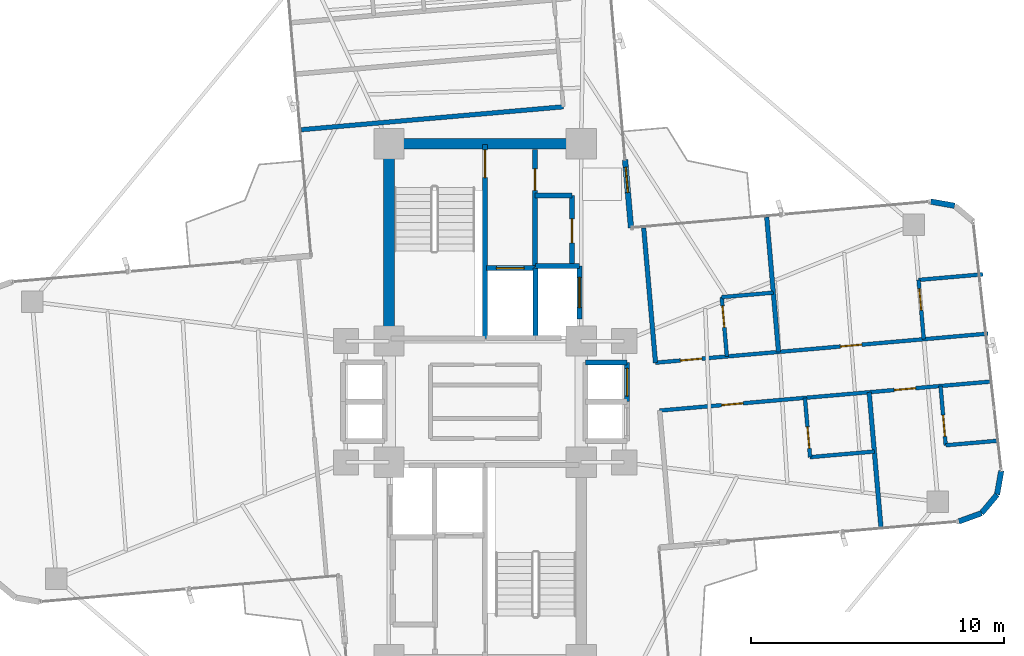
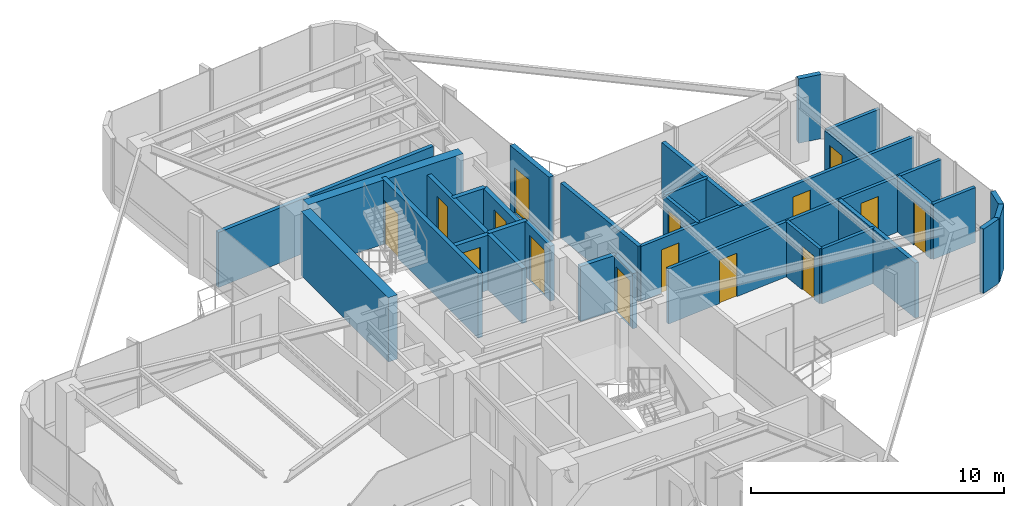
# One storey, part 22 of 24: 31 walls, 15 doors, 15 openings.
"""IFC4 building model written with IfcOpenShell, lengths in metres."""

from ifc_helpers import new_model, si_unit, direction, frame, frame_2d, origin, origin_2d, place, context, subcontext, project, spatial, rectangle, extrude, source, transform, mapped, material, layer, layer_set, type_object, element, fill, save


model = new_model("IFC4")

# Units and contexts
model_context = context("Model", 3, precision=1e-05, world=origin(), true_north=direction((0.0, 1.0)))
body_context = subcontext(model_context, "Body", "Model", "MODEL_VIEW")
ifc_project = project(units=[si_unit("LENGTHUNIT", "METRE"), si_unit("AREAUNIT", "SQUARE_METRE"), si_unit("VOLUMEUNIT", "CUBIC_METRE"), si_unit("PLANEANGLEUNIT", "RADIAN"), si_unit("MASSUNIT", "GRAM", prefix="KILO")], contexts=[model_context])

# Site, building, storey
site_placement = place(None, origin())
site = spatial("IfcSite", under=ifc_project, at=site_placement, CompositionType="ELEMENT")
building_placement = place(site_placement, origin())
building = spatial("IfcBuilding", under=site, at=building_placement, Name="Sahyath Konkavel Grand Hotel", CompositionType="ELEMENT")
storey_placement = place(building_placement, frame((0.0, 0.0, 188.60009765625)))
storey = spatial("IfcBuildingStorey", under=building, at=storey_placement, Name="L52", CompositionType="ELEMENT", Elevation=188.60009765625)

# Walls
ifc_material_1 = material(Name="Concrete C50/60", Category="concrete")
ifc_layer_1 = layer(ifc_material_1, 0.419921875)
ifc_layer_set_1 = layer_set([ifc_layer_1], Name="Concrete C50/60")
wall_type_1 = type_object("IfcWallType", Name="CWALL-420", PredefinedType="SHEAR", material=ifc_layer_set_1)
wall_1_placement = place(storey_placement, frame((-3.550048828125, 10.199951171875, 0.0), z_axis=(0.0, 0.0, 1.0), x_axis=(1.0, 0.0, 0.0)))
element("IfcWall", 1, at=wall_1_placement, inside=storey, type_object=wall_type_1, Name="L52 North Core Shear Wall N", PredefinedType="SHEAR", context=body_context, shape_type="SweptSolid", body=[
    extrude(rectangle(XDim=7.10009765625, YDim=0.419921875, at=frame_2d((3.550048828125, 0.0))), origin(), (0.0, 0.0, 1.0), 3.10986328125),
])
wall_2_placement = place(storey_placement, frame((-3.800048828125, 2.85009765625, 0.0), z_axis=(0.0, 0.0, 1.0), x_axis=(0.0, 1.0, 0.0)))
element("IfcWall", 2, at=wall_2_placement, inside=storey, type_object=wall_type_1, Name="L52 North Core Shear Wall W", PredefinedType="SHEAR", context=body_context, shape_type="SweptSolid", body=[
    extrude(rectangle(XDim=6.89990234375, YDim=0.419921875, at=frame_2d((3.449951171875, 0.0))), origin(), (0.0, 0.0, 1.0), 3.10986328125),
])
ifc_material_2 = material(Name="Warm Buff Sandstone Insulated Concrete C40/50", Category="masonry")
ifc_layer_2 = layer(ifc_material_2, 0.219970703125)
ifc_layer_set_2 = layer_set([ifc_layer_2], Name="Warm Buff Sandstone Insulated Concrete C40/50")
wall_type_2 = type_object("IfcWallType", Name="WLL-BALC-THRESH", PredefinedType="STANDARD", material=ifc_layer_set_2)
wall_3_placement = place(storey_placement, frame((18.73388671875, -4.735107421875, 0.0), z_axis=(0.0, 0.0, 1.0), x_axis=(0.939741306239, 0.34188635151, 0.0)))
element("IfcWall", 3, at=wall_3_placement, inside=storey, type_object=wall_type_2, Name="L52 Rounded Corner Sandstone Pier 1", PredefinedType="STANDARD", context=body_context, shape_type="SweptSolid", body=[
    extrude(rectangle(XDim=0.95751953125, YDim=0.219970703125, at=frame_2d((0.478759765625, 0.0))), origin(), (0.0, 0.0, 1.0), 3.10986328125),
])
for number, where, z_axis, x_axis, name in (
    (4, (19.6337890625, -4.40771484375, 0.0), (0.0, 0.0, 1.0), (0.642863236823, 0.765980978054, 0.0), "L52 Rounded Corner Sandstone Pier 2"),
    (5, (20.24951171875, -3.674072265625, 0.0), (0.0, 0.0, 1.0), (0.173610811841, 0.984814340885, 0.0), "L52 Rounded Corner Sandstone Pier 3"),
    (6, (18.5703125, 7.75, 0.0), (0.0, 0.0, 1.0), (-0.984770724397, 0.173858046606, 0.0), "L52 Rounded Corner Sandstone Pier 6"),
):
    element("IfcWall", number, at=place(storey_placement, frame(where, z_axis=z_axis, x_axis=x_axis)), inside=storey, type_object=wall_type_2, Name=name, PredefinedType="STANDARD", context=body_context, shape_type="SweptSolid", body=[
        extrude(rectangle(XDim=0.957763671875, YDim=0.219970703125, at=frame_2d((0.47900390625, 0.0))), origin(), (0.0, 0.0, 1.0), 3.10986328125),
    ])

# Wall, opening, door
wall_4_placement = place(storey_placement, frame((5.7724609375, 6.87939453125, 0.0), z_axis=(0.0, 0.0, 1.0), x_axis=(-0.087168071984, 0.996193619346, 0.0)))
wall_4 = element("IfcWall", 7, at=wall_4_placement, inside=storey, type_object=wall_type_2, Name="L52 Winter-Garden Threshold Wall 8", PredefinedType="STANDARD", context=body_context, shape_type="SweptSolid", body=[
    extrude(rectangle(XDim=2.699951171875, YDim=0.219970703125, at=frame_2d((1.35009765625, 0.0))), origin(), (0.0, 0.0, 1.0), 3.10986328125),
])
opening_1_placement = place(wall_4_placement, frame((1.39990234375, 0.0, 0.0)))
opening_1 = element("IfcOpeningElement", 8, at=opening_1_placement, cuts=wall_4, Name="Opening D-TR1", PredefinedType="OPENING", context=body_context, shape_type="SweptSolid", body=[
    extrude(rectangle(XDim=1.0, YDim=2.199951171875, at=frame_2d((0.5, 1.10009765625))), frame((0.0, 0.1201171875, 0.0), z_axis=(0.0, -1.0, 0.0), x_axis=(1.0, 0.0, 0.0)), (0.0, 0.0, 1.0), 0.239990234375),
])
ifc_material_3 = material(Name="Anodised Bronze Aluminium & Low-E Glazing", Category="aluminium")
door_type_1 = type_object("IfcDoorType", Name="DR-TERRACE-1000", OperationType="NOTDEFINED", PredefinedType="DOOR", material=ifc_material_3)
shared_shape_1 = source(origin(), body_context, "Body", "SweptSolid", [
    extrude(rectangle(XDim=1.0, YDim=0.050048828125, at=origin_2d()), origin(), (0.0, 0.0, 1.0), 2.199951171875),
])
door_1_placement = place(opening_1_placement, frame((0.5, 0.0, 0.0)))
door_1 = element("IfcDoor", 9, at=door_1_placement, inside=storey, type_object=door_type_1, Name="L52 Winter-Garden Terrace Door 8", OperationType="SINGLE_SWING_LEFT", OverallHeight=2.199951171875, OverallWidth=1.0, PredefinedType="DOOR", context=body_context, shape_type="MappedRepresentation", body=[
    mapped(shared_shape_1, transform((0.0, 0.0, 0.0), scale=1.0)),
])
fill(opening_1, door_1)

ifc_material_4 = material(Name="Concrete C40/50", Category="concrete")
ifc_layer_3 = layer(ifc_material_4, 0.199951171875)
ifc_layer_set_3 = layer_set([ifc_layer_3], Name="Concrete C40/50")
wall_type_3 = type_object("IfcWallType", Name="WLL-CORE-200", PredefinedType="SOLIDWALL", material=ifc_layer_set_3)
wall_5_placement = place(storey_placement, frame((0.0, 2.5, 0.0), z_axis=(0.0, 0.0, 1.0), x_axis=(0.0, 1.0, 0.0)))
wall_5 = element("IfcWall", 10, at=wall_5_placement, inside=storey, type_object=wall_type_3, Name="L52 Stair ST-1 Shaft Wall E", PredefinedType="SOLIDWALL", context=body_context, shape_type="SweptSolid", body=[
    extrude(rectangle(XDim=7.679931640625, YDim=0.199951171875, at=frame_2d((3.83984375, 0.0))), origin(), (0.0, 0.0, 1.0), 3.10986328125),
])
opening_2_placement = place(wall_5_placement, frame((6.360107421875, 0.0, 0.0)))
opening_2 = element("IfcOpeningElement", 11, at=opening_2_placement, cuts=wall_5, Name="Opening D-F12B", PredefinedType="OPENING", context=body_context, shape_type="SweptSolid", body=[
    extrude(rectangle(XDim=1.10009765625, YDim=2.14990234375, at=frame_2d((0.550048828125, 1.074951171875))), frame((0.0, 0.10986328125, 0.0), z_axis=(0.0, -1.0, 0.0), x_axis=(1.0, 0.0, 0.0)), (0.0, 0.0, 1.0), 0.219970703125),
])
ifc_material_5 = material(Name="Steel E350 Smokeproof Fire Door", Category="steel")
door_type_2 = type_object("IfcDoorType", Name="DR-FD120-1100", OperationType="NOTDEFINED", PredefinedType="DOOR", material=ifc_material_5)
shared_shape_2 = source(origin(), body_context, "Body", "SweptSolid", [
    extrude(rectangle(XDim=1.10009765625, YDim=0.050048828125, at=origin_2d()), origin(), (0.0, 0.0, 1.0), 2.14990234375),
])
door_2_placement = place(opening_2_placement, frame((0.550048828125, 0.0, 0.0)))
door_2 = element("IfcDoor", 12, at=door_2_placement, inside=storey, type_object=door_type_2, Name="L52 Stair ST-1 Fire Door", OperationType="SINGLE_SWING_RIGHT", OverallHeight=2.14990234375, OverallWidth=1.10009765625, PredefinedType="DOOR", context=body_context, shape_type="MappedRepresentation", body=[
    mapped(shared_shape_2, transform((0.0, 0.0, 0.0), scale=1.0)),
])
fill(opening_2, door_2)

wall_6_placement = place(storey_placement, frame((1.97998046875, 5.320068359375, 0.0), z_axis=(0.0, 0.0, 1.0), x_axis=(0.0, 1.0, 0.0)))
wall_6 = element("IfcWall", 13, at=wall_6_placement, inside=storey, type_object=wall_type_3, Name="L52 North Firefighting Lobby Wall E", PredefinedType="SOLIDWALL", context=body_context, shape_type="SweptSolid", body=[
    extrude(rectangle(XDim=4.659912109375, YDim=0.199951171875, at=frame_2d((2.330078125, 0.0))), origin(), (0.0, 0.0, 1.0), 2.659912109375),
])
opening_3_placement = place(wall_6_placement, frame((3.0400390625, 0.0, 0.0)))
opening_3 = element("IfcOpeningElement", 14, at=opening_3_placement, cuts=wall_6, Name="Opening D-F12D", PredefinedType="OPENING", context=body_context, shape_type="SweptSolid", body=[
    extrude(rectangle(XDim=0.85009765625, YDim=2.10009765625, at=frame_2d((0.425048828125, 1.050048828125))), frame((0.0, 0.10986328125, 0.0), z_axis=(0.0, -1.0, 0.0), x_axis=(1.0, 0.0, 0.0)), (0.0, 0.0, 1.0), 0.219970703125),
])
ifc_material_6 = material(Name="Steel E350 Core Fire Door", Category="steel")
door_type_3 = type_object("IfcDoorType", Name="DR-FD120-850", OperationType="NOTDEFINED", PredefinedType="DOOR", material=ifc_material_6)
shared_shape_3 = source(origin(), body_context, "Body", "SweptSolid", [
    extrude(rectangle(XDim=0.85009765625, YDim=0.050048828125, at=origin_2d()), origin(), (0.0, 0.0, 1.0), 2.10009765625),
])
door_3_placement = place(opening_3_placement, frame((0.425048828125, 0.0, 0.0)))
door_3 = element("IfcDoor", 15, at=door_3_placement, inside=storey, type_object=door_type_3, Name="L52 North Firefighting Lobby Door", OperationType="SINGLE_SWING_RIGHT", OverallHeight=2.10009765625, OverallWidth=0.85009765625, PredefinedType="DOOR", context=body_context, shape_type="MappedRepresentation", body=[
    mapped(shared_shape_3, transform((0.0, 0.0, 0.0), scale=1.0)),
])
fill(opening_3, door_3)

# Wall
wall_7_placement = place(storey_placement, frame((2.0, 2.5, 0.0), z_axis=(0.0, 0.0, 1.0), x_axis=(0.0, 1.0, 0.0)))
element("IfcWall", 16, at=wall_7_placement, inside=storey, type_object=wall_type_3, Name="L52 Partition SH-FFL1-E", PredefinedType="SOLIDWALL", context=body_context, shape_type="SweptSolid", body=[
    extrude(rectangle(XDim=2.780029296875, YDim=0.199951171875, at=frame_2d((1.39013671875, 0.0))), origin(), (0.0, 0.0, 1.0), 2.659912109375),
])

# Wall, opening, door
wall_8_placement = place(storey_placement, frame((0.050048828125, 5.280029296875, 0.0), z_axis=(0.0, 0.0, 1.0), x_axis=(1.0, 0.0, 0.0)))
wall_8 = element("IfcWall", 17, at=wall_8_placement, inside=storey, type_object=wall_type_3, Name="L52 Partition SH-FFL1-N", PredefinedType="SOLIDWALL", context=body_context, shape_type="SweptSolid", body=[
    extrude(rectangle(XDim=1.929931640625, YDim=0.199951171875, at=frame_2d((0.96484375, 0.0))), origin(), (0.0, 0.0, 1.0), 2.659912109375),
])
opening_4_placement = place(wall_8_placement, frame((0.39990234375, 0.0, 0.0)))
opening_4 = element("IfcOpeningElement", 18, at=opening_4_placement, cuts=wall_8, Name="Opening LD-11", PredefinedType="OPENING", context=body_context, shape_type="SweptSolid", body=[
    extrude(rectangle(XDim=1.10009765625, YDim=2.199951171875, at=frame_2d((0.550048828125, 1.10009765625))), frame((0.0, 0.10986328125, 0.0), z_axis=(0.0, -1.0, 0.0), x_axis=(1.0, 0.0, 0.0)), (0.0, 0.0, 1.0), 0.219970703125),
])
ifc_material_7 = material(Name="Bronze Lift Landing Door 1100")
door_type_4 = type_object("IfcDoorType", Name="DR-LIFT-1100", OperationType="DOUBLE_DOOR_SLIDING", PredefinedType="DOOR", material=ifc_material_7)
shared_shape_4 = source(origin(), body_context, "Body", "SweptSolid", [
    extrude(rectangle(XDim=1.10009765625, YDim=0.050048828125, at=origin_2d()), origin(), (0.0, 0.0, 1.0), 2.199951171875),
])
door_4_placement = place(opening_4_placement, frame((0.550048828125, 0.0, 0.0)))
door_4 = element("IfcDoor", 19, at=door_4_placement, inside=storey, type_object=door_type_4, Name="L52 Lift FFL-1 Landing Door", OperationType="DOUBLE_DOOR_SLIDING", OverallHeight=2.199951171875, OverallWidth=1.10009765625, PredefinedType="DOOR", context=body_context, shape_type="MappedRepresentation", body=[
    mapped(shared_shape_4, transform((0.0, 0.0, 0.0), scale=1.0)),
])
fill(opening_4, door_4)

# Wall
wall_9_placement = place(storey_placement, frame((2.0, 5.360107421875, 0.0), z_axis=(0.0, 0.0, 1.0), x_axis=(1.0, 0.0, 0.0)))
element("IfcWall", 20, at=wall_9_placement, inside=storey, type_object=wall_type_3, Name="L52 Partition SH-SVL1-N", PredefinedType="SOLIDWALL", context=body_context, shape_type="SweptSolid", body=[
    extrude(rectangle(XDim=1.739990234375, YDim=0.199951171875, at=frame_2d((0.8701171875, 0.0))), origin(), (0.0, 0.0, 1.0), 2.659912109375),
])

# Wall, opening, door
wall_10_placement = place(storey_placement, frame((3.739990234375, 3.280029296875, 0.0), z_axis=(0.0, 0.0, 1.0), x_axis=(0.0, 1.0, 0.0)))
wall_10 = element("IfcWall", 21, at=wall_10_placement, inside=storey, type_object=wall_type_3, Name="L52 Partition SH-SVL1-E", PredefinedType="SOLIDWALL", context=body_context, shape_type="SweptSolid", body=[
    extrude(rectangle(XDim=2.080078125, YDim=0.199951171875, at=frame_2d((1.0400390625, 0.0))), origin(), (0.0, 0.0, 1.0), 2.659912109375),
])
opening_5_placement = place(wall_10_placement, frame((0.43994140625, 0.0, 0.0)))
opening_5 = element("IfcOpeningElement", 22, at=opening_5_placement, cuts=wall_10, Name="Opening LD-12", PredefinedType="OPENING", context=body_context, shape_type="SweptSolid", body=[
    extrude(rectangle(XDim=1.199951171875, YDim=2.199951171875, at=frame_2d((0.60009765625, 1.10009765625))), frame((0.0, 0.10986328125, 0.0), z_axis=(0.0, -1.0, 0.0), x_axis=(1.0, 0.0, 0.0)), (0.0, 0.0, 1.0), 0.219970703125),
])
ifc_material_8 = material(Name="Stainless Steel Lift Landing Door 1200", Category="steel")
door_type_5 = type_object("IfcDoorType", Name="DR-LIFT-1200", OperationType="DOUBLE_DOOR_SLIDING", PredefinedType="DOOR", material=ifc_material_8)
shared_shape_5 = source(origin(), body_context, "Body", "SweptSolid", [
    extrude(rectangle(XDim=1.199951171875, YDim=0.050048828125, at=origin_2d()), origin(), (0.0, 0.0, 1.0), 2.199951171875),
])
door_5_placement = place(opening_5_placement, frame((0.60009765625, 0.0, 0.0)))
door_5 = element("IfcDoor", 23, at=door_5_placement, inside=storey, type_object=door_type_5, Name="L52 Service Lift SVL-1 Landing Door", OperationType="DOUBLE_DOOR_SLIDING", OverallHeight=2.199951171875, OverallWidth=1.199951171875, PredefinedType="DOOR", context=body_context, shape_type="MappedRepresentation", body=[
    mapped(shared_shape_5, transform((0.0, 0.0, 0.0), scale=1.0)),
])
fill(opening_5, door_5)

# Wall
wall_11_placement = place(storey_placement, frame((3.97998046875, 1.56005859375, 0.0), z_axis=(0.0, 0.0, 1.0), x_axis=(1.0, 0.0, 0.0)))
element("IfcWall", 24, at=wall_11_placement, inside=storey, type_object=wall_type_3, Name="L52 Partition SH-PL56-N", PredefinedType="SOLIDWALL", context=body_context, shape_type="SweptSolid", body=[
    extrude(rectangle(XDim=1.64013671875, YDim=0.199951171875, at=frame_2d((0.820068359375, 0.0))), origin(), (0.0, 0.0, 1.0), 2.659912109375),
])

# Wall, opening, door
wall_12_placement = place(storey_placement, frame((5.6201171875, 0.0, 0.0), z_axis=(0.0, 0.0, 1.0), x_axis=(0.0, 1.0, 0.0)))
wall_12 = element("IfcWall", 25, at=wall_12_placement, inside=storey, type_object=wall_type_3, Name="L52 Partition SH-PL5-E", PredefinedType="SOLIDWALL", context=body_context, shape_type="SweptSolid", body=[
    extrude(rectangle(XDim=1.56005859375, YDim=0.199951171875, at=frame_2d((0.780029296875, 0.0))), origin(), (0.0, 0.0, 1.0), 2.659912109375),
])
opening_6_placement = place(wall_12_placement, frame((0.219970703125, 0.0, 0.0)))
opening_6 = element("IfcOpeningElement", 26, at=opening_6_placement, cuts=wall_12, Name="Opening LD-11", PredefinedType="OPENING", context=body_context, shape_type="SweptSolid", body=[
    extrude(rectangle(XDim=1.10009765625, YDim=2.199951171875, at=frame_2d((0.550048828125, 1.10009765625))), frame((0.0, 0.10986328125, 0.0), z_axis=(0.0, -1.0, 0.0), x_axis=(1.0, 0.0, 0.0)), (0.0, 0.0, 1.0), 0.219970703125),
])
door_6_placement = place(opening_6_placement, frame((0.550048828125, 0.0, 0.0)))
door_6 = element("IfcDoor", 27, at=door_6_placement, inside=storey, type_object=door_type_4, Name="L52 High-Rise Lift PL-5 Landing Door", OperationType="DOUBLE_DOOR_SLIDING", OverallHeight=2.199951171875, OverallWidth=1.10009765625, PredefinedType="DOOR", context=body_context, shape_type="MappedRepresentation", body=[
    mapped(shared_shape_4, transform((0.0, 0.0, 0.0), scale=1.0)),
])
fill(opening_6, door_6)

wall_13_placement = place(storey_placement, frame((3.43994140625, 5.3798828125, 0.0), z_axis=(0.0, 0.0, 1.0), x_axis=(0.0, 1.0, 0.0)))
wall_13 = element("IfcWall", 28, at=wall_13_placement, inside=storey, type_object=wall_type_3, Name="L52 Reclaimed North Core Wall E", PredefinedType="SOLIDWALL", context=body_context, shape_type="SweptSolid", body=[
    extrude(rectangle(XDim=2.77001953125, YDim=0.199951171875, at=frame_2d((1.385009765625, 0.0))), origin(), (0.0, 0.0, 1.0), 2.659912109375),
])
opening_7_placement = place(wall_13_placement, frame((0.89990234375, 0.0, 0.0)))
opening_7 = element("IfcOpeningElement", 29, at=opening_7_placement, cuts=wall_13, Name="Opening D-F06B", PredefinedType="OPENING", context=body_context, shape_type="SweptSolid", body=[
    extrude(rectangle(XDim=0.949951171875, YDim=2.14990234375, at=frame_2d((0.47509765625, 1.074951171875))), frame((0.0, 0.10986328125, 0.0), z_axis=(0.0, -1.0, 0.0), x_axis=(1.0, 0.0, 0.0)), (0.0, 0.0, 1.0), 0.219970703125),
])
ifc_material_9 = material(Name="Teak Veneer Fire-Rated Guest Entrance Door")
door_type_6 = type_object("IfcDoorType", Name="DR-FD60-950", OperationType="NOTDEFINED", PredefinedType="DOOR", material=ifc_material_9)
shared_shape_6 = source(origin(), body_context, "Body", "SweptSolid", [
    extrude(rectangle(XDim=0.949951171875, YDim=0.050048828125, at=origin_2d()), origin(), (0.0, 0.0, 1.0), 2.14990234375),
])
door_7_placement = place(opening_7_placement, frame((0.47509765625, 0.0, 0.0)))
door_7 = element("IfcDoor", 30, at=door_7_placement, inside=storey, type_object=door_type_6, Name="L52 Door NC-REC1-D", OperationType="SINGLE_SWING_RIGHT", OverallHeight=2.14990234375, OverallWidth=0.949951171875, PredefinedType="DOOR", context=body_context, shape_type="MappedRepresentation", body=[
    mapped(shared_shape_6, transform((0.0, 0.0, 0.0), scale=1.0)),
])
fill(opening_7, door_7)

# Walls
wall_14_placement = place(storey_placement, frame((1.97998046875, 8.14990234375, 0.0), z_axis=(0.0, 0.0, 1.0), x_axis=(1.0, 0.0, 0.0)))
element("IfcWall", 31, at=wall_14_placement, inside=storey, type_object=wall_type_3, Name="L52 Partition NC-REC-N", PredefinedType="SOLIDWALL", context=body_context, shape_type="SweptSolid", body=[
    extrude(rectangle(XDim=1.4599609375, YDim=0.199951171875, at=frame_2d((0.72998046875, 0.0))), origin(), (0.0, 0.0, 1.0), 2.659912109375),
])
ifc_material_10 = material(Name="Twin-Stud Acoustic Gypsum Plasterboard Partition")
ifc_layer_4 = layer(ifc_material_10, 0.179931640625)
ifc_layer_set_4 = layer_set([ifc_layer_4], Name="Twin-Stud Acoustic Gypsum Plasterboard Partition")
wall_type_4 = type_object("IfcWallType", Name="WLL-DEMISE-180", PredefinedType="PARTITIONING", material=ifc_layer_set_4)
for number, where, z_axis, x_axis, name in (
    (32, (6.7412109375, 1.54345703125, 0.0), (0.0, 0.0, 1.0), (-0.087161289348, 0.996194212812, 0.0), "L52 Partition E-INL"),
    (33, (11.606689453125, 1.968994140625, 0.0), (0.0, 0.0, 1.0), (-0.087161289348, 0.996194212812, 0.0), "L52 Partition E-E1L-DEM"),
    (34, (15.191162109375, 0.37548828125, 0.0), (0.0, 0.0, 1.0), (0.087161289348, -0.996194212812, 0.0), "L52 Partition E-E1R-DEM"),
):
    element("IfcWall", number, at=place(storey_placement, frame(where, z_axis=z_axis, x_axis=x_axis)), inside=storey, type_object=wall_type_4, Name=name, PredefinedType="PARTITIONING", context=body_context, shape_type="SweptSolid", body=[
        extrude(rectangle(XDim=5.349853515625, YDim=0.179931640625, at=frame_2d((2.6748046875, 0.0))), origin(), (0.0, 0.0, 1.0), 2.659912109375),
    ])
wall_15_placement = place(storey_placement, frame((3.09521484375, 11.6640625, 0.0), z_axis=(0.0, 0.0, 1.0), x_axis=(-0.996196061386, -0.087140158824, 0.0)))
element("IfcWall", 35, at=wall_15_placement, inside=storey, type_object=wall_type_4, Name="L52 Partition N-G6I", PredefinedType="PARTITIONING", context=body_context, shape_type="SweptSolid", body=[
    extrude(rectangle(XDim=10.39990234375, YDim=0.179931640625, at=frame_2d((5.199951171875, 0.0))), origin(), (0.0, 0.0, 1.0), 2.659912109375),
])

# Wall, openings, doors
ifc_material_11 = material(Name="Fire-Rated Gypsum Plasterboard Partition")
ifc_layer_5 = layer(ifc_material_11, 0.14990234375)
ifc_layer_set_5 = layer_set([ifc_layer_5], Name="Fire-Rated Gypsum Plasterboard Partition")
wall_type_5 = type_object("IfcWallType", Name="WLL-PART-150", PredefinedType="PARTITIONING", material=ifc_layer_set_5)
wall_16_placement = place(storey_placement, frame((6.7412109375, 1.54345703125, 0.0), z_axis=(0.0, 0.0, 1.0), x_axis=(0.996195062465, 0.087151577845, 0.0)))
wall_16 = element("IfcWall", 36, at=wall_16_placement, inside=storey, type_object=wall_type_5, Name="L52 Partition E-CL", PredefinedType="PARTITIONING", context=body_context, shape_type="SweptSolid", body=[
    extrude(rectangle(XDim=13.199951171875, YDim=0.14990234375, at=frame_2d((6.60009765625, 0.0))), origin(), (0.0, 0.0, 1.0), 2.659912109375),
])
opening_8_placement = place(wall_16_placement, frame((0.991943359375, 0.0, 0.0)))
opening_8 = element("IfcOpeningElement", 37, at=opening_8_placement, cuts=wall_16, Name="Opening D-F06D", PredefinedType="OPENING", context=body_context, shape_type="SweptSolid", body=[
    extrude(rectangle(XDim=0.85009765625, YDim=2.10009765625, at=frame_2d((0.425048828125, 1.050048828125))), frame((0.0, 0.0849609375, 0.0), z_axis=(0.0, -1.0, 0.0), x_axis=(1.0, 0.0, 0.0)), (0.0, 0.0, 1.0), 0.169921875),
])
opening_9_placement = place(wall_16_placement, frame((7.342041015625, 0.0, 0.0)))
opening_9 = element("IfcOpeningElement", 38, at=opening_9_placement, cuts=wall_16, Name="Opening D-F06D", PredefinedType="OPENING", context=body_context, shape_type="SweptSolid", body=[
    extrude(rectangle(XDim=0.85009765625, YDim=2.10009765625, at=frame_2d((0.425048828125, 1.050048828125))), frame((0.0, 0.0849609375, 0.0), z_axis=(0.0, -1.0, 0.0), x_axis=(1.0, 0.0, 0.0)), (0.0, 0.0, 1.0), 0.169921875),
])
ifc_material_12 = material(Name="Fire-Rated Shaft Access Door")
door_type_7 = type_object("IfcDoorType", Name="DR-FD60-850", OperationType="NOTDEFINED", PredefinedType="DOOR", material=ifc_material_12)
door_8_placement = place(opening_8_placement, frame((0.425048828125, 0.0, 0.0)))
door_8 = element("IfcDoor", 39, at=door_8_placement, inside=storey, type_object=door_type_7, Name="L52 Door E-E1L-ED", OperationType="SINGLE_SWING_RIGHT", OverallHeight=2.10009765625, OverallWidth=0.85009765625, PredefinedType="DOOR", context=body_context, shape_type="MappedRepresentation", body=[
    mapped(shared_shape_3, transform((0.0, 0.0, 0.0), scale=1.0)),
])
fill(opening_8, door_8)
door_9_placement = place(opening_9_placement, frame((0.425048828125, 0.0, 0.0)))
door_9 = element("IfcDoor", 40, at=door_9_placement, inside=storey, type_object=door_type_7, Name="L52 Door E-E2L-ED", OperationType="SINGLE_SWING_RIGHT", OverallHeight=2.10009765625, OverallWidth=0.85009765625, PredefinedType="DOOR", context=body_context, shape_type="MappedRepresentation", body=[
    mapped(shared_shape_3, transform((0.0, 0.0, 0.0), scale=1.0)),
])
fill(opening_9, door_9)

wall_17_placement = place(storey_placement, frame((6.90673828125, -0.349365234375, 0.0), z_axis=(0.0, 0.0, 1.0), x_axis=(0.996195062465, 0.087151577845, 0.0)))
wall_17 = element("IfcWall", 41, at=wall_17_placement, inside=storey, type_object=wall_type_5, Name="L52 Partition E-CR", PredefinedType="PARTITIONING", context=body_context, shape_type="SweptSolid", body=[
    extrude(rectangle(XDim=13.199951171875, YDim=0.14990234375, at=frame_2d((6.60009765625, 0.0))), origin(), (0.0, 0.0, 1.0), 2.659912109375),
])
opening_10_placement = place(wall_17_placement, frame((2.4580078125, 0.0, 0.0)))
opening_10 = element("IfcOpeningElement", 42, at=opening_10_placement, cuts=wall_17, Name="Opening D-F06D", PredefinedType="OPENING", context=body_context, shape_type="SweptSolid", body=[
    extrude(rectangle(XDim=0.85009765625, YDim=2.10009765625, at=frame_2d((0.425048828125, 1.050048828125))), frame((0.0, 0.0849609375, 0.0), z_axis=(0.0, -1.0, 0.0), x_axis=(1.0, 0.0, 0.0)), (0.0, 0.0, 1.0), 0.169921875),
])
opening_11_placement = place(wall_17_placement, frame((9.30810546875, 0.0, 0.0)))
opening_11 = element("IfcOpeningElement", 43, at=opening_11_placement, cuts=wall_17, Name="Opening D-F06D", PredefinedType="OPENING", context=body_context, shape_type="SweptSolid", body=[
    extrude(rectangle(XDim=0.85009765625, YDim=2.10009765625, at=frame_2d((0.425048828125, 1.050048828125))), frame((0.0, 0.0849609375, 0.0), z_axis=(0.0, -1.0, 0.0), x_axis=(1.0, 0.0, 0.0)), (0.0, 0.0, 1.0), 0.169921875),
])
door_10_placement = place(opening_10_placement, frame((0.425048828125, 0.0, 0.0)))
door_10 = element("IfcDoor", 44, at=door_10_placement, inside=storey, type_object=door_type_7, Name="L52 Door E-E1R-ED", OperationType="SINGLE_SWING_RIGHT", OverallHeight=2.10009765625, OverallWidth=0.85009765625, PredefinedType="DOOR", context=body_context, shape_type="MappedRepresentation", body=[
    mapped(shared_shape_3, transform((0.0, 0.0, 0.0), scale=1.0)),
])
fill(opening_10, door_10)
door_11_placement = place(opening_11_placement, frame((0.425048828125, 0.0, 0.0)))
door_11 = element("IfcDoor", 45, at=door_11_placement, inside=storey, type_object=door_type_7, Name="L52 Door E-E2R-ED", OperationType="SINGLE_SWING_RIGHT", OverallHeight=2.10009765625, OverallWidth=0.85009765625, PredefinedType="DOOR", context=body_context, shape_type="MappedRepresentation", body=[
    mapped(shared_shape_3, transform((0.0, 0.0, 0.0), scale=1.0)),
])
fill(opening_11, door_11)

# Wall, opening, door
wall_18_placement = place(storey_placement, frame((9.564453125, 1.790283203125, 0.0), z_axis=(0.0, 0.0, 1.0), x_axis=(-0.087215835732, 0.996189438811, 0.0)))
wall_18 = element("IfcWall", 46, at=wall_18_placement, inside=storey, type_object=wall_type_5, Name="L52 Partition E-E1L-BS", PredefinedType="PARTITIONING", context=body_context, shape_type="SweptSolid", body=[
    extrude(rectangle(XDim=2.354248046875, YDim=0.14990234375, at=frame_2d((1.17724609375, 0.0))), origin(), (0.0, 0.0, 1.0), 2.659912109375),
])
opening_12_placement = place(wall_18_placement, frame((1.154052734375, 0.0, 0.0)))
opening_12 = element("IfcOpeningElement", 47, at=opening_12_placement, cuts=wall_18, Name="Opening D-BT85", PredefinedType="OPENING", context=body_context, shape_type="SweptSolid", body=[
    extrude(rectangle(XDim=0.85009765625, YDim=2.10009765625, at=frame_2d((0.425048828125, 1.050048828125))), frame((0.0, 0.0849609375, 0.0), z_axis=(0.0, -1.0, 0.0), x_axis=(1.0, 0.0, 0.0)), (0.0, 0.0, 1.0), 0.169921875),
])
ifc_material_13 = material(Name="Moisture-Resistant Teak Bathroom Door")
door_type_8 = type_object("IfcDoorType", Name="DR-BATH-850", OperationType="NOTDEFINED", PredefinedType="DOOR", material=ifc_material_13)
door_12_placement = place(opening_12_placement, frame((0.425048828125, 0.0, 0.0)))
door_12 = element("IfcDoor", 48, at=door_12_placement, inside=storey, type_object=door_type_8, Name="L52 Door E-E1L-BD", OperationType="SINGLE_SWING_LEFT", OverallHeight=2.10009765625, OverallWidth=0.85009765625, PredefinedType="DOOR", context=body_context, shape_type="MappedRepresentation", body=[
    mapped(shared_shape_3, transform((0.0, 0.0, 0.0), scale=1.0)),
])
fill(opening_12, door_12)

# Wall
wall_19_placement = place(storey_placement, frame((9.359130859375, 4.135498046875, 0.0), z_axis=(0.0, 0.0, 1.0), x_axis=(0.99619307114, 0.087174336889, 0.0)))
element("IfcWall", 49, at=wall_19_placement, inside=storey, type_object=wall_type_5, Name="L52 Partition E-E1L-BF", PredefinedType="PARTITIONING", context=body_context, shape_type="SweptSolid", body=[
    extrude(rectangle(XDim=2.050048828125, YDim=0.14990234375, at=frame_2d((1.02490234375, 0.0))), origin(), (0.0, 0.0, 1.0), 2.659912109375),
])

# Wall, opening, door
wall_20_placement = place(storey_placement, frame((17.3505859375, 2.4716796875, 0.0), z_axis=(0.0, 0.0, 1.0), x_axis=(-0.087121918963, 0.996197656711, 0.0)))
wall_20 = element("IfcWall", 50, at=wall_20_placement, inside=storey, type_object=wall_type_5, Name="L52 Partition E-E2L-BS", PredefinedType="PARTITIONING", context=body_context, shape_type="SweptSolid", body=[
    extrude(rectangle(XDim=2.35400390625, YDim=0.14990234375, at=frame_2d((1.177001953125, 0.0))), origin(), (0.0, 0.0, 1.0), 2.6298828125),
])
opening_13_placement = place(wall_20_placement, frame((1.154052734375, 0.0, 0.0)))
opening_13 = element("IfcOpeningElement", 51, at=opening_13_placement, cuts=wall_20, Name="Opening D-BT85", PredefinedType="OPENING", context=body_context, shape_type="SweptSolid", body=[
    extrude(rectangle(XDim=0.85009765625, YDim=2.10009765625, at=frame_2d((0.425048828125, 1.050048828125))), frame((0.0, 0.0849609375, 0.0), z_axis=(0.0, -1.0, 0.0), x_axis=(1.0, 0.0, 0.0)), (0.0, 0.0, 1.0), 0.169921875),
])
door_13_placement = place(opening_13_placement, frame((0.425048828125, 0.0, 0.0)))
door_13 = element("IfcDoor", 52, at=door_13_placement, inside=storey, type_object=door_type_8, Name="L52 Door E-E2L-BD", OperationType="SINGLE_SWING_LEFT", OverallHeight=2.10009765625, OverallWidth=0.85009765625, PredefinedType="DOOR", context=body_context, shape_type="MappedRepresentation", body=[
    mapped(shared_shape_3, transform((0.0, 0.0, 0.0), scale=1.0)),
])
fill(opening_13, door_13)

# Wall
wall_21_placement = place(storey_placement, frame((17.1455078125, 4.816650390625, 0.0), z_axis=(0.0, 0.0, 1.0), x_axis=(0.996197353911, 0.087125381265, 0.0)))
element("IfcWall", 53, at=wall_21_placement, inside=storey, type_object=wall_type_5, Name="L52 Partition E-E2L-BF", PredefinedType="PARTITIONING", context=body_context, shape_type="SweptSolid", body=[
    extrude(rectangle(XDim=2.550048828125, YDim=0.14990234375, at=frame_2d((1.27490234375, 0.0))), origin(), (0.0, 0.0, 1.0), 2.659912109375),
])

# Wall, opening, door
wall_22_placement = place(storey_placement, frame((12.65087890625, 0.1533203125, 0.0), z_axis=(0.0, 0.0, 1.0), x_axis=(0.08711291826, -0.996198443821, 0.0)))
wall_22 = element("IfcWall", 54, at=wall_22_placement, inside=storey, type_object=wall_type_5, Name="L52 Partition E-E1R-BS", PredefinedType="PARTITIONING", context=body_context, shape_type="SweptSolid", body=[
    extrude(rectangle(XDim=2.354248046875, YDim=0.14990234375, at=frame_2d((1.17724609375, 0.0))), origin(), (0.0, 0.0, 1.0), 2.659912109375),
])
opening_14_placement = place(wall_22_placement, frame((1.154052734375, 0.0, 0.0)))
opening_14 = element("IfcOpeningElement", 55, at=opening_14_placement, cuts=wall_22, Name="Opening D-BT85", PredefinedType="OPENING", context=body_context, shape_type="SweptSolid", body=[
    extrude(rectangle(XDim=0.85009765625, YDim=2.10009765625, at=frame_2d((0.425048828125, 1.050048828125))), frame((0.0, 0.0849609375, 0.0), z_axis=(0.0, -1.0, 0.0), x_axis=(1.0, 0.0, 0.0)), (0.0, 0.0, 1.0), 0.169921875),
])
door_14_placement = place(opening_14_placement, frame((0.425048828125, 0.0, 0.0)))
door_14 = element("IfcDoor", 56, at=door_14_placement, inside=storey, type_object=door_type_8, Name="L52 Door E-E1R-BD", OperationType="SINGLE_SWING_LEFT", OverallHeight=2.10009765625, OverallWidth=0.85009765625, PredefinedType="DOOR", context=body_context, shape_type="MappedRepresentation", body=[
    mapped(shared_shape_3, transform((0.0, 0.0, 0.0), scale=1.0)),
])
fill(opening_14, door_14)

# Wall
wall_23_placement = place(storey_placement, frame((12.85595703125, -2.19189453125, 0.0), z_axis=(0.0, 0.0, 1.0), x_axis=(0.996189039596, 0.08722039549, 0.0)))
element("IfcWall", 57, at=wall_23_placement, inside=storey, type_object=wall_type_5, Name="L52 Partition E-E1R-BF", PredefinedType="PARTITIONING", context=body_context, shape_type="SweptSolid", body=[
    extrude(rectangle(XDim=2.550048828125, YDim=0.14990234375, at=frame_2d((1.27490234375, 0.0))), origin(), (0.0, 0.0, 1.0), 2.659912109375),
])

# Wall, opening, door
wall_24_placement = place(storey_placement, frame((18.014404296875, 0.622314453125, 0.0), z_axis=(0.0, 0.0, 1.0), x_axis=(0.087121918963, -0.996197656711, 0.0)))
wall_24 = element("IfcWall", 58, at=wall_24_placement, inside=storey, type_object=wall_type_5, Name="L52 Partition E-E2R-BS", PredefinedType="PARTITIONING", context=body_context, shape_type="SweptSolid", body=[
    extrude(rectangle(XDim=2.35400390625, YDim=0.14990234375, at=frame_2d((1.177001953125, 0.0))), origin(), (0.0, 0.0, 1.0), 2.659912109375),
])
opening_15_placement = place(wall_24_placement, frame((1.154052734375, 0.0, 0.0)))
opening_15 = element("IfcOpeningElement", 59, at=opening_15_placement, cuts=wall_24, Name="Opening D-BT85", PredefinedType="OPENING", context=body_context, shape_type="SweptSolid", body=[
    extrude(rectangle(XDim=0.85009765625, YDim=2.10009765625, at=frame_2d((0.425048828125, 1.050048828125))), frame((0.0, 0.0849609375, 0.0), z_axis=(0.0, -1.0, 0.0), x_axis=(1.0, 0.0, 0.0)), (0.0, 0.0, 1.0), 0.169921875),
])
door_15_placement = place(opening_15_placement, frame((0.425048828125, 0.0, 0.0)))
door_15 = element("IfcDoor", 60, at=door_15_placement, inside=storey, type_object=door_type_8, Name="L52 Door E-E2R-BD", OperationType="SINGLE_SWING_LEFT", OverallHeight=2.10009765625, OverallWidth=0.85009765625, PredefinedType="DOOR", context=body_context, shape_type="MappedRepresentation", body=[
    mapped(shared_shape_3, transform((0.0, 0.0, 0.0), scale=1.0)),
])
fill(opening_15, door_15)

# Wall
wall_25_placement = place(storey_placement, frame((18.219482421875, -1.72265625, 0.0), z_axis=(0.0, 0.0, 1.0), x_axis=(0.99619307114, 0.087174336889, 0.0)))
element("IfcWall", 61, at=wall_25_placement, inside=storey, type_object=wall_type_5, Name="L52 Partition E-E2R-BF", PredefinedType="PARTITIONING", context=body_context, shape_type="SweptSolid", body=[
    extrude(rectangle(XDim=2.050048828125, YDim=0.14990234375, at=frame_2d((1.02490234375, 0.0))), origin(), (0.0, 0.0, 1.0), 2.659912109375),
])

save(model, "model.ifc")
